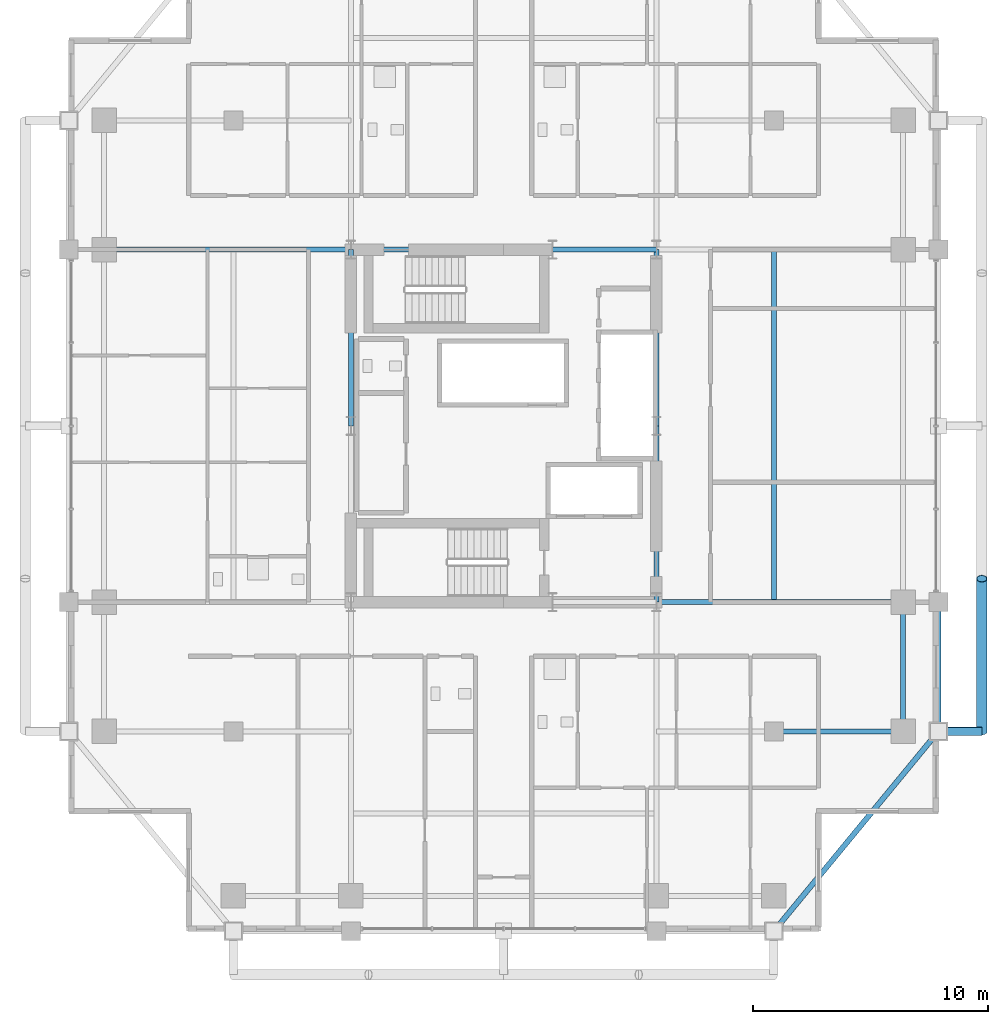
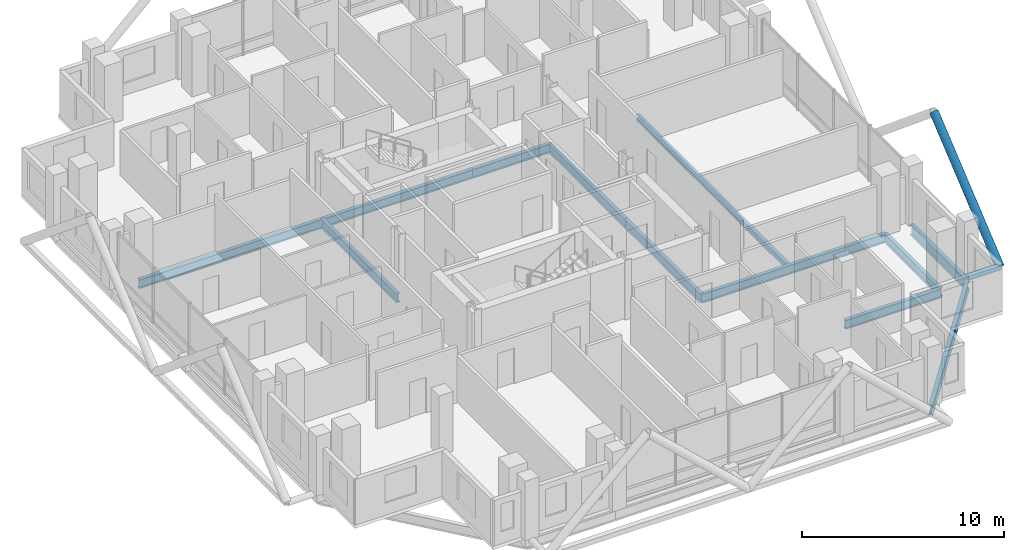
# One storey, part 10 of 26: 12 beams, 2 members.
"""IFC4 building model written with IfcOpenShell, lengths in metres."""

from ifc_helpers import new_model, si_unit, direction, frame, origin, origin_2d, place, context, subcontext, project, spatial, hollow_circle, i_section, extrude, material, material_profile, profile_set, type_object, element, save


model = new_model("IFC4")

# Units and contexts
model_context = context("Model", 3, precision=1e-05, world=origin(), true_north=direction((0.0, 1.0)))
body_context = subcontext(model_context, "Body", "Model", "MODEL_VIEW")
ifc_project = project(units=[si_unit("LENGTHUNIT", "METRE"), si_unit("AREAUNIT", "SQUARE_METRE"), si_unit("VOLUMEUNIT", "CUBIC_METRE"), si_unit("PLANEANGLEUNIT", "RADIAN"), si_unit("MASSUNIT", "GRAM", prefix="KILO")], contexts=[model_context])

# Site, building, storey
site_placement = place(None, origin())
site = spatial("IfcSite", under=ifc_project, at=site_placement, CompositionType="ELEMENT")
building_placement = place(site_placement, origin())
building = spatial("IfcBuilding", under=site, at=building_placement, Name="Barlavira Tower and Art Museum", CompositionType="ELEMENT")
storey_placement = place(building_placement, frame((0.0, 0.0, 187.199951171875)))
storey = spatial("IfcBuildingStorey", under=building, at=storey_placement, Name="L48", CompositionType="ELEMENT", Elevation=187.199951171875)

# Members
ifc_material = material(Name="Steel S355", Category="steel")
ifc_material_profile_1 = material_profile(ifc_material, hollow_circle(Radius=0.228515625, WallThickness=0.02001953125, at=origin_2d()), Name="CHS 457.0x20.0")
ifc_profile_set_1 = profile_set([ifc_material_profile_1], Name="Steel S355")
member_type_1 = type_object("IfcMemberType", Name="Pale-Metal Exoskeleton Diagrid Tube CHS 457x20 Steel S355", PredefinedType="BRACE", material=ifc_profile_set_1)
member_1_placement = place(storey_placement, frame((20.35009765625, -13.0, -0.119873046875), z_axis=(0.0, 0.769196053329, 0.639012857104), x_axis=(-1.0, 0.0, 0.0)))
element("IfcMember", 1, at=member_1_placement, inside=storey, type_object=member_type_1, Name="L48 Exoskeleton Diagrid Tube E", PredefinedType="BRACE", context=body_context, shape_type="SweptSolid", body=[
    extrude(hollow_circle(Radius=0.228515625, WallThickness=0.02001953125, at=origin_2d()), origin(), (0.0, 0.0, 1.0), 8.450439453125),
])
ifc_material_profile_2 = material_profile(ifc_material, hollow_circle(Radius=0.177734375, WallThickness=0.01611328125, at=origin_2d()), Name="CHS 355.6x16.0")
ifc_profile_set_2 = profile_set([ifc_material_profile_2], Name="Steel S355")
member_type_2 = type_object("IfcMemberType", Name="Pale-Metal Exoskeleton Tie Strut CHS 356x16 Steel S355", PredefinedType="STRUT", material=ifc_profile_set_2)
member_2_placement = place(storey_placement, frame((20.35009765625, -13.0, -0.119873046875), z_axis=(-1.0, 0.0, 0.0), x_axis=(0.0, -1.0, 0.0)))
element("IfcMember", 2, at=member_2_placement, inside=storey, type_object=member_type_2, Name="L48 Exoskeleton Tie Strut E1", PredefinedType="STRUT", context=body_context, shape_type="SweptSolid", body=[
    extrude(hollow_circle(Radius=0.177734375, WallThickness=0.01611328125, at=origin_2d()), origin(), (0.0, 0.0, 1.0), 1.85009765625),
])

# Beams
ifc_material_profile_3 = material_profile(ifc_material, i_section(OverallWidth=0.22998046875, OverallDepth=0.616943359375, WebThickness=0.01318359375, FlangeThickness=0.022216796875, at=origin_2d()), Name="W610x140.0")
ifc_profile_set_3 = profile_set([ifc_material_profile_3], Name="Steel S355")
beam_type_1 = type_object("IfcBeamType", Name="Upper Shaft Spandrel Edge Beam W610x140 Steel S355", PredefinedType="SPANDREL", material=ifc_profile_set_3)
beam_1_placement = place(storey_placement, frame((11.5, -21.5, -0.528564453125), z_axis=(0.635707252861, 0.771930235617, 0.0), x_axis=(-0.771930235617, 0.635707252861, 0.0)))
element("IfcBeam", 3, at=beam_1_placement, inside=storey, type_object=beam_type_1, Name="L48 Spandrel 4", PredefinedType="SPANDREL", context=body_context, shape_type="SweptSolid", body=[
    extrude(i_section(OverallWidth=0.22998046875, OverallDepth=0.616943359375, WebThickness=0.01318359375, FlangeThickness=0.022216796875, at=origin_2d()), origin(), (0.0, 0.0, 1.0), 11.011474609375),
])
beam_2_placement = place(storey_placement, frame((18.5, -13.0, -0.528564453125), z_axis=(0.0, 1.0, 0.0), x_axis=(-1.0, 0.0, 0.0)))
element("IfcBeam", 4, at=beam_2_placement, inside=storey, type_object=beam_type_1, Name="L48 Spandrel 5", PredefinedType="SPANDREL", context=body_context, shape_type="SweptSolid", body=[
    extrude(i_section(OverallWidth=0.22998046875, OverallDepth=0.616943359375, WebThickness=0.01318359375, FlangeThickness=0.022216796875, at=origin_2d()), origin(), (0.0, 0.0, 1.0), 5.5),
])
ifc_material_profile_4 = material_profile(ifc_material, i_section(OverallWidth=0.205078125, OverallDepth=0.35400390625, WebThickness=0.009521484375, FlangeThickness=0.016845703125, at=origin_2d()), Name="W360x79.0")
ifc_profile_set_4 = profile_set([ifc_material_profile_4], Name="Steel S355")
beam_type_2 = type_object("IfcBeamType", Name="Zone 3 Composite Floor Joist W360x79 Steel S355", PredefinedType="JOIST", material=ifc_profile_set_4)
beam_3_placement = place(storey_placement, frame((11.5, -7.5, -0.39697265625), z_axis=(0.0, 1.0, 0.0), x_axis=(-1.0, 0.0, 0.0)))
element("IfcBeam", 5, at=beam_3_placement, inside=storey, type_object=beam_type_2, Name="L48 Joist W2", PredefinedType="JOIST", context=body_context, shape_type="SweptSolid", body=[
    extrude(i_section(OverallWidth=0.205078125, OverallDepth=0.35400390625, WebThickness=0.009521484375, FlangeThickness=0.016845703125, at=origin_2d()), origin(), (0.0, 0.0, 1.0), 15.0),
])
ifc_material_profile_5 = material_profile(ifc_material, i_section(OverallWidth=0.2109375, OverallDepth=0.5390625, WebThickness=0.01171875, FlangeThickness=0.018798828125, at=origin_2d()), Name="W530x109.0")
ifc_profile_set_5 = profile_set([ifc_material_profile_5], Name="Steel S355")
beam_type_3 = type_object("IfcBeamType", Name="Zone 3-4 Primary Floor Girder W530x109 Steel S355", PredefinedType="BEAM", material=ifc_profile_set_5)
beam_4_placement = place(storey_placement, frame((-6.5, 7.5, -0.489501953125), z_axis=(1.0, 0.0, 0.0), x_axis=(0.0, 1.0, 0.0)))
element("IfcBeam", 6, at=beam_4_placement, inside=storey, type_object=beam_type_3, Name="L48 Girder C-N1", PredefinedType="BEAM", context=body_context, shape_type="SweptSolid", body=[
    extrude(i_section(OverallWidth=0.2109375, OverallDepth=0.5390625, WebThickness=0.01171875, FlangeThickness=0.018798828125, at=origin_2d()), origin(), (0.0, 0.0, 1.0), 8.580078125),
])
beam_5_placement = place(storey_placement, frame((2.080078125, 7.5, -0.489501953125), z_axis=(1.0, 0.0, 0.0), x_axis=(0.0, 1.0, 0.0)))
element("IfcBeam", 7, at=beam_5_placement, inside=storey, type_object=beam_type_3, Name="L48 Girder C-N2", PredefinedType="BEAM", context=body_context, shape_type="SweptSolid", body=[
    extrude(i_section(OverallWidth=0.2109375, OverallDepth=0.5390625, WebThickness=0.01171875, FlangeThickness=0.018798828125, at=origin_2d()), origin(), (0.0, 0.0, 1.0), 4.419921875),
])
for number, where, z_axis, x_axis, name in (
    (8, (-6.5, 0.0, -0.489501953125), (0.0, 1.0, 0.0), (-1.0, 0.0, 0.0), "L48 Girder C-W2"),
    (9, (6.5, -7.5, -0.489501953125), (0.0, 1.0, 0.0), (-1.0, 0.0, 0.0), "L48 Girder C-E1"),
    (10, (6.5, 0.0, -0.489501953125), (0.0, 1.0, 0.0), (-1.0, 0.0, 0.0), "L48 Girder C-E2"),
):
    element("IfcBeam", number, at=place(storey_placement, frame(where, z_axis=z_axis, x_axis=x_axis)), inside=storey, type_object=beam_type_3, Name=name, PredefinedType="BEAM", context=body_context, shape_type="SweptSolid", body=[
        extrude(i_section(OverallWidth=0.2109375, OverallDepth=0.5390625, WebThickness=0.01171875, FlangeThickness=0.018798828125, at=origin_2d()), origin(), (0.0, 0.0, 1.0), 7.5),
    ])
beam_6_placement = place(storey_placement, frame((17.0, -13.0, -0.489501953125), z_axis=(0.0, 1.0, 0.0), x_axis=(-1.0, 0.0, 0.0)))
element("IfcBeam", 11, at=beam_6_placement, inside=storey, type_object=beam_type_3, Name="L48 Girder M-E1", PredefinedType="BEAM", context=body_context, shape_type="SweptSolid", body=[
    extrude(i_section(OverallWidth=0.2109375, OverallDepth=0.5390625, WebThickness=0.01171875, FlangeThickness=0.018798828125, at=origin_2d()), origin(), (0.0, 0.0, 1.0), 5.5),
])
for number, where, z_axis, x_axis, name in (
    (12, (-17.0, 7.5, -0.489501953125), (1.0, 0.0, 0.0), (0.0, 1.0, 0.0), "L48 Girder R-W2"),
    (13, (6.5, -7.5, -0.489501953125), (1.0, 0.0, 0.0), (0.0, 1.0, 0.0), "L48 Girder R-E1"),
):
    element("IfcBeam", number, at=place(storey_placement, frame(where, z_axis=z_axis, x_axis=x_axis)), inside=storey, type_object=beam_type_3, Name=name, PredefinedType="BEAM", context=body_context, shape_type="SweptSolid", body=[
        extrude(i_section(OverallWidth=0.2109375, OverallDepth=0.5390625, WebThickness=0.01171875, FlangeThickness=0.018798828125, at=origin_2d()), origin(), (0.0, 0.0, 1.0), 10.5),
    ])
beam_7_placement = place(storey_placement, frame((11.5, -13.0, -0.489501953125), z_axis=(1.0, 0.0, 0.0), x_axis=(0.0, 1.0, 0.0)))
element("IfcBeam", 14, at=beam_7_placement, inside=storey, type_object=beam_type_3, Name="L48 Girder I-S4", PredefinedType="BEAM", context=body_context, shape_type="SweptSolid", body=[
    extrude(i_section(OverallWidth=0.2109375, OverallDepth=0.5390625, WebThickness=0.01171875, FlangeThickness=0.018798828125, at=origin_2d()), origin(), (0.0, 0.0, 1.0), 5.5),
])

save(model, "model.ifc")
